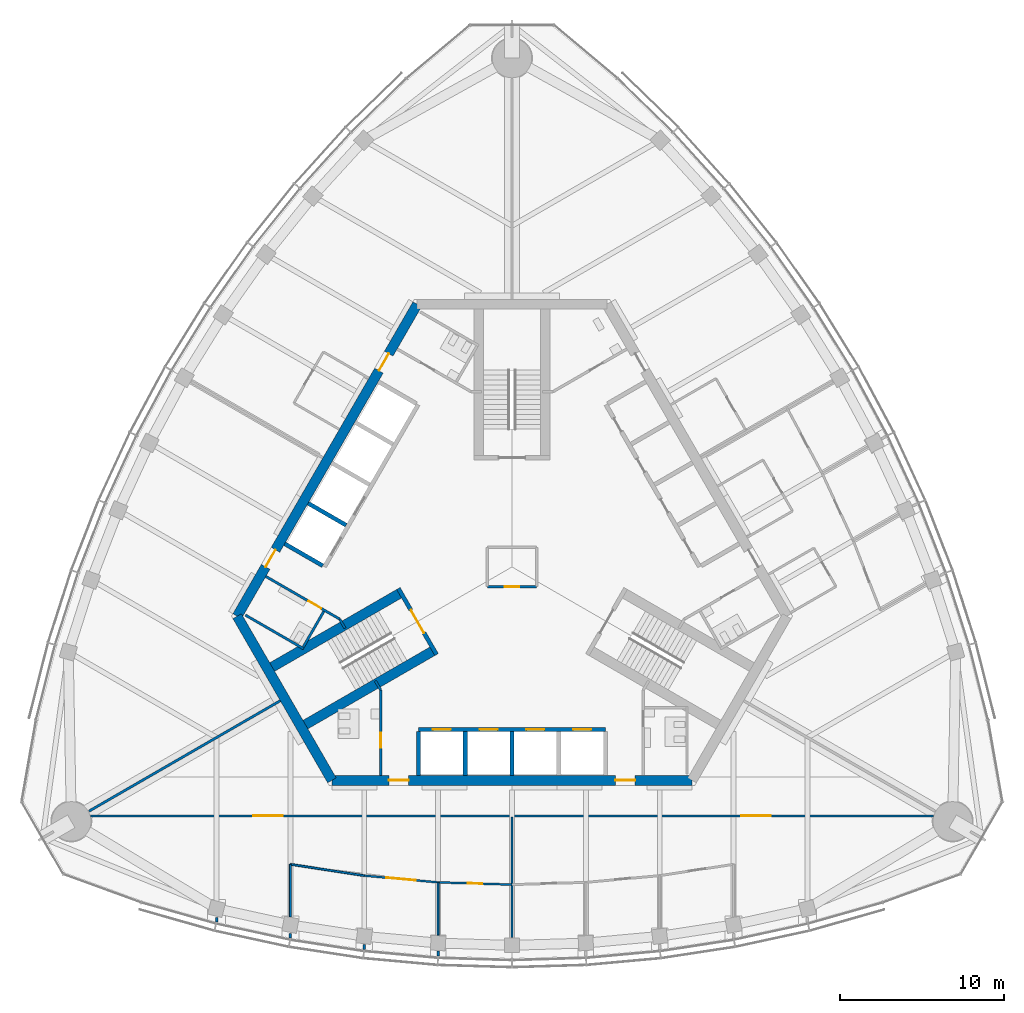
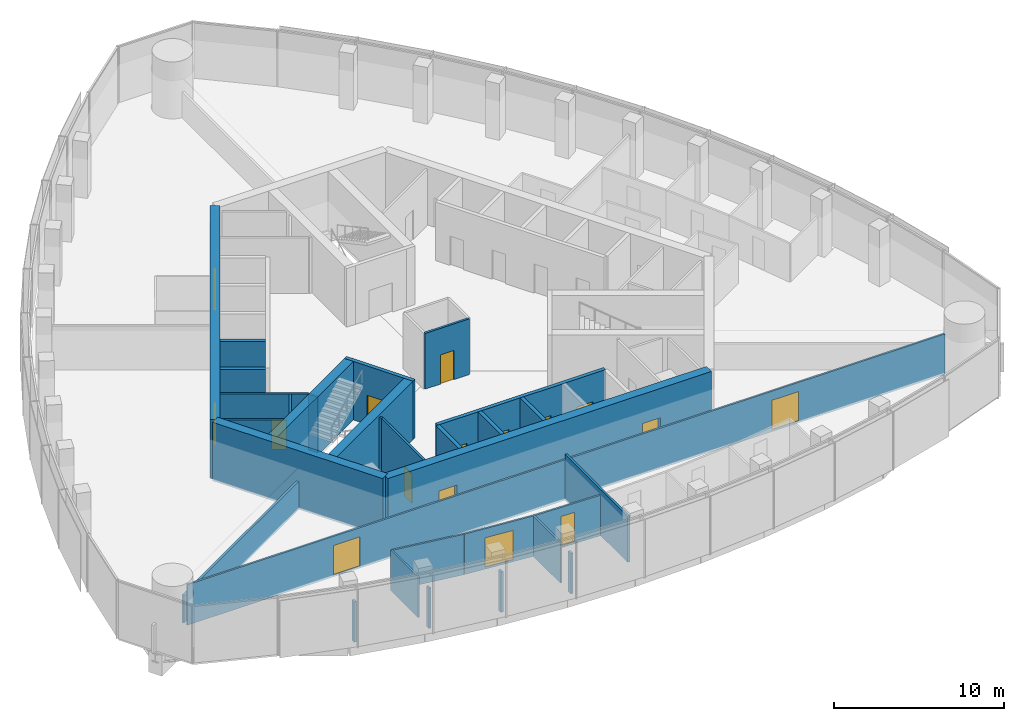
# One storey, part 8 of 16: 31 walls, 16 doors, 16 openings.
"""IFC4 building model written with IfcOpenShell, lengths in metres."""

from ifc_helpers import new_model, si_unit, direction, frame, frame_2d, origin, place, context, subcontext, project, spatial, rectangle, extrude, material, layer, layer_set, type_object, element, fill, save


model = new_model("IFC4")

# Units and contexts
model_context = context("Model", 3, precision=1e-05, world=origin(), true_north=direction((0.0, 1.0)))
body_context = subcontext(model_context, "Body", "Model", "MODEL_VIEW")
ifc_project = project(units=[si_unit("LENGTHUNIT", "METRE"), si_unit("AREAUNIT", "SQUARE_METRE"), si_unit("VOLUMEUNIT", "CUBIC_METRE"), si_unit("PLANEANGLEUNIT", "RADIAN"), si_unit("MASSUNIT", "GRAM", prefix="KILO")], contexts=[model_context])

# Site, building, storey
site_placement = place(None, origin())
site = spatial("IfcSite", under=ifc_project, at=site_placement, CompositionType="ELEMENT")
building_placement = place(site_placement, origin())
building = spatial("IfcBuilding", under=site, at=building_placement, Name="Trefoil Bronze Tower", CompositionType="ELEMENT")
storey_placement = place(building_placement, frame((0.0, 0.0, 318.300048828125)))
storey = spatial("IfcBuildingStorey", under=building, at=storey_placement, Name="L73", CompositionType="ELEMENT", Elevation=318.300048828125)

# Wall, openings, doors
ifc_material_1 = material(Name="Concrete B80", Category="concrete")
ifc_layer_1 = layer(ifc_material_1, 0.60009765625)
ifc_layer_set_1 = layer_set([ifc_layer_1], Name="Core wall 600")
wall_type_1 = type_object("IfcWallType", Name="Core wall 600", PredefinedType="SHEAR", material=ifc_layer_set_1)
wall_1_placement = place(storey_placement, frame((-10.9697265625, -13.0, 0.0), z_axis=(0.0, 0.0, 1.0), x_axis=(1.0, 0.0, 0.0)))
wall_1 = element("IfcWall", 1, at=wall_1_placement, inside=storey, type_object=wall_type_1, Name="Core long wall 1 L73", PredefinedType="SHEAR", context=body_context, shape_type="SweptSolid", body=[
    extrude(rectangle(XDim=21.939453125, YDim=0.60009765625, at=frame_2d((10.9697265625, 0.0))), origin(), (0.0, 0.0, 1.0), 4.199951171875),
])
opening_1_placement = place(wall_1_placement, frame((17.269775390625, 0.0, 0.0)))
opening_1 = element("IfcOpeningElement", 2, at=opening_1_placement, cuts=wall_1, Name="Opening D2", PredefinedType="OPENING", context=body_context, shape_type="SweptSolid", body=[
    extrude(rectangle(XDim=1.199951171875, YDim=2.10009765625, at=frame_2d((0.60009765625, 1.050048828125))), frame((0.0, 0.31005859375, 0.0), z_axis=(0.0, -1.0, 0.0), x_axis=(1.0, 0.0, 0.0)), (0.0, 0.0, 1.0), 0.6201171875),
])
opening_2_placement = place(wall_1_placement, frame((3.4697265625, 0.0, 0.0)))
opening_2 = element("IfcOpeningElement", 3, at=opening_2_placement, cuts=wall_1, Name="Opening D2", PredefinedType="OPENING", context=body_context, shape_type="SweptSolid", body=[
    extrude(rectangle(XDim=1.199951171875, YDim=2.10009765625, at=frame_2d((0.60009765625, 1.050048828125))), frame((0.0, 0.31005859375, 0.0), z_axis=(0.0, -1.0, 0.0), x_axis=(1.0, 0.0, 0.0)), (0.0, 0.0, 1.0), 0.6201171875),
])
ifc_material_2 = material(Name="Steel door", Category="steel")
door_type_1 = type_object("IfcDoorType", Name="Lobby door 1200", OperationType="SINGLE_SWING_RIGHT", PredefinedType="DOOR", material=ifc_material_2)
door_1_placement = place(opening_1_placement, origin())
door_1 = element("IfcDoor", 4, at=door_1_placement, inside=storey, type_object=door_type_1, Name="Lobby door F1+ L73", OperationType="SINGLE_SWING_RIGHT", OverallHeight=2.10009765625, OverallWidth=1.199951171875, PredefinedType="DOOR", context=body_context, shape_type="SweptSolid", body=[
    extrude(rectangle(XDim=1.199951171875, YDim=2.10009765625, at=frame_2d((0.60009765625, 1.050048828125))), frame((0.0, 0.02490234375, 0.0), z_axis=(0.0, -1.0, 0.0), x_axis=(1.0, 0.0, 0.0)), (0.0, 0.0, 1.0), 0.050048828125),
])
fill(opening_1, door_1)
door_2_placement = place(opening_2_placement, origin())
door_2 = element("IfcDoor", 5, at=door_2_placement, inside=storey, type_object=door_type_1, Name="Lobby door F1- L73", OperationType="SINGLE_SWING_LEFT", OverallHeight=2.10009765625, OverallWidth=1.199951171875, PredefinedType="DOOR", context=body_context, shape_type="SweptSolid", body=[
    extrude(rectangle(XDim=1.199951171875, YDim=2.10009765625, at=frame_2d((0.60009765625, 1.050048828125))), frame((0.0, 0.02490234375, 0.0), z_axis=(0.0, -1.0, 0.0), x_axis=(1.0, 0.0, 0.0)), (0.0, 0.0, 1.0), 0.050048828125),
])
fill(opening_2, door_2)

wall_2_placement = place(storey_placement, frame((-5.7734375, 16.0, 0.0), z_axis=(0.0, 0.0, 1.0), x_axis=(-0.500002442456, -0.866023993627, 0.0)))
wall_2 = element("IfcWall", 6, at=wall_2_placement, inside=storey, type_object=wall_type_1, Name="Core long wall 3 L73", PredefinedType="SHEAR", context=body_context, shape_type="SweptSolid", body=[
    extrude(rectangle(XDim=21.939453125, YDim=0.60009765625, at=frame_2d((10.9697265625, 0.0))), origin(), (0.0, 0.0, 1.0), 4.199951171875),
])
opening_3_placement = place(wall_2_placement, frame((17.269775390625, 0.0, 0.0)))
opening_3 = element("IfcOpeningElement", 7, at=opening_3_placement, cuts=wall_2, Name="Opening D2", PredefinedType="OPENING", context=body_context, shape_type="SweptSolid", body=[
    extrude(rectangle(XDim=1.199951171875, YDim=2.10009765625, at=frame_2d((0.60009765625, 1.050048828125))), frame((0.0, 0.31005859375, 0.0), z_axis=(0.0, -1.0, 0.0), x_axis=(1.0, 0.0, 0.0)), (0.0, 0.0, 1.0), 0.6201171875),
])
opening_4_placement = place(wall_2_placement, frame((3.4697265625, 0.0, 0.0)))
opening_4 = element("IfcOpeningElement", 8, at=opening_4_placement, cuts=wall_2, Name="Opening D2", PredefinedType="OPENING", context=body_context, shape_type="SweptSolid", body=[
    extrude(rectangle(XDim=1.199951171875, YDim=2.10009765625, at=frame_2d((0.60009765625, 1.050048828125))), frame((0.0, 0.31005859375, 0.0), z_axis=(0.0, -1.0, 0.0), x_axis=(1.0, 0.0, 0.0)), (0.0, 0.0, 1.0), 0.6201171875),
])
door_3_placement = place(opening_3_placement, origin())
door_3 = element("IfcDoor", 9, at=door_3_placement, inside=storey, type_object=door_type_1, Name="Lobby door F3+ L73", OperationType="SINGLE_SWING_RIGHT", OverallHeight=2.10009765625, OverallWidth=1.199951171875, PredefinedType="DOOR", context=body_context, shape_type="SweptSolid", body=[
    extrude(rectangle(XDim=1.199951171875, YDim=2.10009765625, at=frame_2d((0.60009765625, 1.050048828125))), frame((0.0, 0.02490234375, 0.0), z_axis=(0.0, -1.0, 0.0), x_axis=(1.0, 0.0, 0.0)), (0.0, 0.0, 1.0), 0.050048828125),
])
fill(opening_3, door_3)
door_4_placement = place(opening_4_placement, origin())
door_4 = element("IfcDoor", 10, at=door_4_placement, inside=storey, type_object=door_type_1, Name="Lobby door F3- L73", OperationType="SINGLE_SWING_LEFT", OverallHeight=2.10009765625, OverallWidth=1.199951171875, PredefinedType="DOOR", context=body_context, shape_type="SweptSolid", body=[
    extrude(rectangle(XDim=1.199951171875, YDim=2.10009765625, at=frame_2d((0.60009765625, 1.050048828125))), frame((0.0, 0.02490234375, 0.0), z_axis=(0.0, -1.0, 0.0), x_axis=(1.0, 0.0, 0.0)), (0.0, 0.0, 1.0), 0.050048828125),
])
fill(opening_4, door_4)

# Wall
wall_3_placement = place(storey_placement, frame((-16.7431640625, -3.0, 0.0), z_axis=(0.0, 0.0, 1.0), x_axis=(0.499995765644, -0.866027848477, 0.0)))
element("IfcWall", 11, at=wall_3_placement, inside=storey, type_object=wall_type_1, Name="Core short wall 3 L73", PredefinedType="SHEAR", context=body_context, shape_type="SweptSolid", body=[
    extrude(rectangle(XDim=11.546875, YDim=0.60009765625, at=frame_2d((5.7734375, 0.0))), origin(), (0.0, 0.0, 1.0), 4.199951171875),
])

# Wall, openings, doors
ifc_material_3 = material(Name="Glazed partition", Category="glass")
ifc_layer_2 = layer(ifc_material_3, 0.1201171875)
ifc_layer_set_2 = layer_set([ifc_layer_2], Name="Glazed partition 120")
wall_type_2 = type_object("IfcWallType", Name="Glazed partition 120", PredefinedType="PARTITIONING", material=ifc_layer_set_2)
wall_4_placement = place(storey_placement, frame((-25.677734375, -15.159912109375, 0.0), z_axis=(0.0, 0.0, 1.0), x_axis=(1.0, 0.0, 0.0)))
wall_4 = element("IfcWall", 12, at=wall_4_placement, inside=storey, type_object=wall_type_2, Name="Partition F1 L73", PredefinedType="PARTITIONING", context=body_context, shape_type="SweptSolid", body=[
    extrude(rectangle(XDim=51.35546875, YDim=0.1201171875, at=frame_2d((25.677734375, 0.0))), origin(), (0.0, 0.0, 1.0), 2.89990234375),
])
opening_5_placement = place(wall_4_placement, frame((9.89990234375, 0.0, 0.14990234375)))
opening_5 = element("IfcOpeningElement", 13, at=opening_5_placement, cuts=wall_4, Name="Opening D10", PredefinedType="OPENING", context=body_context, shape_type="SweptSolid", body=[
    extrude(rectangle(XDim=1.800048828125, YDim=2.10009765625, at=frame_2d((0.89990234375, 1.050048828125))), frame((0.0, 0.070068359375, 0.0), z_axis=(0.0, -1.0, 0.0), x_axis=(1.0, 0.0, 0.0)), (0.0, 0.0, 1.0), 0.14013671875),
])
opening_6_placement = place(wall_4_placement, frame((39.64990234375, 0.0, 0.14990234375)))
opening_6 = element("IfcOpeningElement", 14, at=opening_6_placement, cuts=wall_4, Name="Opening D10", PredefinedType="OPENING", context=body_context, shape_type="SweptSolid", body=[
    extrude(rectangle(XDim=1.800048828125, YDim=2.10009765625, at=frame_2d((0.89990234375, 1.050048828125))), frame((0.0, 0.070068359375, 0.0), z_axis=(0.0, -1.0, 0.0), x_axis=(1.0, 0.0, 0.0)), (0.0, 0.0, 1.0), 0.14013671875),
])
ifc_material_4 = material(Name="Timber door", Category="wood")
door_type_2 = type_object("IfcDoorType", Name="Double door 1800", OperationType="DOUBLE_DOOR_SINGLE_SWING", PredefinedType="DOOR", material=ifc_material_4)
door_5_placement = place(opening_5_placement, origin())
door_5 = element("IfcDoor", 15, at=door_5_placement, inside=storey, type_object=door_type_2, Name="Corridor door F1 L73", OperationType="DOUBLE_DOOR_SINGLE_SWING", OverallHeight=2.10009765625, OverallWidth=1.800048828125, PredefinedType="DOOR", context=body_context, shape_type="SweptSolid", body=[
    extrude(rectangle(XDim=1.800048828125, YDim=2.10009765625, at=frame_2d((0.89990234375, 1.050048828125))), frame((0.0, 0.02490234375, 0.0), z_axis=(0.0, -1.0, 0.0), x_axis=(1.0, 0.0, 0.0)), (0.0, 0.0, 1.0), 0.050048828125),
])
fill(opening_5, door_5)
door_6_placement = place(opening_6_placement, origin())
door_6 = element("IfcDoor", 16, at=door_6_placement, inside=storey, type_object=door_type_2, Name="Corridor door F1 L73", OperationType="DOUBLE_DOOR_SINGLE_SWING", OverallHeight=2.10009765625, OverallWidth=1.800048828125, PredefinedType="DOOR", context=body_context, shape_type="SweptSolid", body=[
    extrude(rectangle(XDim=1.800048828125, YDim=2.10009765625, at=frame_2d((0.89990234375, 1.050048828125))), frame((0.0, 0.02490234375, 0.0), z_axis=(0.0, -1.0, 0.0), x_axis=(1.0, 0.0, 0.0)), (0.0, 0.0, 1.0), 0.050048828125),
])
fill(opening_6, door_6)

# Wall
wall_5_placement = place(storey_placement, frame((-13.5, -18.1162109375, 0.0), z_axis=(0.0, 0.0, 1.0), x_axis=(0.988481794406, -0.151339823341, 0.0)))
element("IfcWall", 17, at=wall_5_placement, inside=storey, type_object=wall_type_2, Name="Partition F1 L73", PredefinedType="PARTITIONING", context=body_context, shape_type="SweptSolid", body=[
    extrude(rectangle(XDim=4.552490234375, YDim=0.1201171875, at=frame_2d((2.2763671875, 0.0))), origin(), (0.0, 0.0, 1.0), 2.89990234375),
])

# Wall, opening, door
wall_6_placement = place(storey_placement, frame((-4.5, -19.21533203125, 0.0), z_axis=(0.0, 0.0, 1.0), x_axis=(0.999542074227, -0.030259574513, 0.0)))
wall_6 = element("IfcWall", 18, at=wall_6_placement, inside=storey, type_object=wall_type_2, Name="Partition F1 L73", PredefinedType="PARTITIONING", context=body_context, shape_type="SweptSolid", body=[
    extrude(rectangle(XDim=4.501953125, YDim=0.1201171875, at=frame_2d((2.2509765625, 0.0))), origin(), (0.0, 0.0, 1.0), 2.89990234375),
])
opening_7_placement = place(wall_6_placement, frame((1.800048828125, 0.0, 0.14990234375)))
opening_7 = element("IfcOpeningElement", 19, at=opening_7_placement, cuts=wall_6, Name="Opening D8", PredefinedType="OPENING", context=body_context, shape_type="SweptSolid", body=[
    extrude(rectangle(XDim=0.89990234375, YDim=2.10009765625, at=frame_2d((0.449951171875, 1.050048828125))), frame((0.0, 0.070068359375, 0.0), z_axis=(0.0, -1.0, 0.0), x_axis=(1.0, 0.0, 0.0)), (0.0, 0.0, 1.0), 0.14013671875),
])
ifc_material_5 = material(Name="Timber door", Category="wood")
door_type_3 = type_object("IfcDoorType", Name="Office door 900", OperationType="SINGLE_SWING_LEFT", PredefinedType="DOOR", material=ifc_material_5)
door_7_placement = place(opening_7_placement, frame((0.89990234375, 0.0, 0.0), z_axis=(0.0, 0.0, 1.0), x_axis=(-1.0, 0.0, 0.0)))
door_7 = element("IfcDoor", 20, at=door_7_placement, inside=storey, type_object=door_type_3, Name="Members' office door F1 L73", OperationType="SINGLE_SWING_RIGHT", OverallHeight=2.10009765625, OverallWidth=0.89990234375, PredefinedType="DOOR", context=body_context, shape_type="SweptSolid", body=[
    extrude(rectangle(XDim=0.89990234375, YDim=2.10009765625, at=frame_2d((0.449951171875, 1.050048828125))), frame((0.0, 0.02490234375, 0.0), z_axis=(0.0, -1.0, 0.0), x_axis=(1.0, 0.0, 0.0)), (0.0, 0.0, 1.0), 0.050048828125),
])
fill(opening_7, door_7)

wall_7_placement = place(storey_placement, frame((-9.0, -18.80517578125, 0.0), z_axis=(0.0, 0.0, 1.0), x_axis=(0.995871921504, -0.090769576179, 0.0)))
wall_7 = element("IfcWall", 21, at=wall_7_placement, inside=storey, type_object=wall_type_2, Name="Partition F1 L73", PredefinedType="PARTITIONING", context=body_context, shape_type="SweptSolid", body=[
    extrude(rectangle(XDim=4.5185546875, YDim=0.1201171875, at=frame_2d((2.25927734375, 0.0))), origin(), (0.0, 0.0, 1.0), 2.89990234375),
])
opening_8_placement = place(wall_7_placement, frame((1.35009765625, 0.0, 0.14990234375)))
opening_8 = element("IfcOpeningElement", 22, at=opening_8_placement, cuts=wall_7, Name="Opening D10", PredefinedType="OPENING", context=body_context, shape_type="SweptSolid", body=[
    extrude(rectangle(XDim=1.800048828125, YDim=2.10009765625, at=frame_2d((0.89990234375, 1.050048828125))), frame((0.0, 0.070068359375, 0.0), z_axis=(0.0, -1.0, 0.0), x_axis=(1.0, 0.0, 0.0)), (0.0, 0.0, 1.0), 0.14013671875),
])
door_8_placement = place(opening_8_placement, frame((1.800048828125, 0.0, 0.0), z_axis=(0.0, 0.0, 1.0), x_axis=(-1.0, 0.0, 0.0)))
door_8 = element("IfcDoor", 23, at=door_8_placement, inside=storey, type_object=door_type_2, Name="Library lounge door F1 L73", OperationType="DOUBLE_DOOR_SINGLE_SWING", OverallHeight=2.10009765625, OverallWidth=1.800048828125, PredefinedType="DOOR", context=body_context, shape_type="SweptSolid", body=[
    extrude(rectangle(XDim=1.800048828125, YDim=2.10009765625, at=frame_2d((0.89990234375, 1.050048828125))), frame((0.0, 0.02490234375, 0.0), z_axis=(0.0, -1.0, 0.0), x_axis=(1.0, 0.0, 0.0)), (0.0, 0.0, 1.0), 0.050048828125),
])
fill(opening_8, door_8)

# Walls
wall_8_placement = place(storey_placement, frame((-13.5, -18.1162109375, 0.0), z_axis=(0.0, 0.0, 1.0), x_axis=(0.0, -1.0, 0.0)))
element("IfcWall", 24, at=wall_8_placement, inside=storey, type_object=wall_type_2, Name="Partition F1 L73", PredefinedType="PARTITIONING", context=body_context, shape_type="SweptSolid", body=[
    extrude(rectangle(XDim=3.198486328125, YDim=0.1201171875, at=frame_2d((1.59912109375, 0.0))), origin(), (0.0, 0.0, 1.0), 2.89990234375),
])
wall_9_placement = place(storey_placement, frame((-4.5, -19.21533203125, 0.0), z_axis=(0.0, 0.0, 1.0), x_axis=(0.0, -1.0, 0.0)))
element("IfcWall", 25, at=wall_9_placement, inside=storey, type_object=wall_type_2, Name="Partition F1 L73", PredefinedType="PARTITIONING", context=body_context, shape_type="SweptSolid", body=[
    extrude(rectangle(XDim=3.2177734375, YDim=0.1201171875, at=frame_2d((1.60888671875, 0.0))), origin(), (0.0, 0.0, 1.0), 2.89990234375),
])

# Wall, opening, door
ifc_material_6 = material(Name="Gypsum board on steel studs", Category="steel")
ifc_layer_3 = layer(ifc_material_6, 0.14990234375)
ifc_layer_set_3 = layer_set([ifc_layer_3], Name="Partition 150")
wall_type_3 = type_object("IfcWallType", Name="Partition 150", PredefinedType="PARTITIONING", material=ifc_layer_set_3)
wall_10_placement = place(storey_placement, frame((-8.0, -7.5, 0.0), z_axis=(0.0, 0.0, 1.0), x_axis=(0.0, -1.0, 0.0)))
wall_10 = element("IfcWall", 26, at=wall_10_placement, inside=storey, type_object=wall_type_3, Name="Passage wall F1- L73", PredefinedType="PARTITIONING", context=body_context, shape_type="SweptSolid", body=[
    extrude(rectangle(XDim=5.199951171875, YDim=0.14990234375, at=frame_2d((2.60009765625, 0.0))), origin(), (0.0, 0.0, 1.0), 4.0),
])
opening_9_placement = place(wall_10_placement, frame((2.60009765625, 0.0, 0.0)))
opening_9 = element("IfcOpeningElement", 27, at=opening_9_placement, cuts=wall_10, Name="Opening D3", PredefinedType="OPENING", context=body_context, shape_type="SweptSolid", body=[
    extrude(rectangle(XDim=0.89990234375, YDim=2.10009765625, at=frame_2d((0.449951171875, 1.050048828125))), frame((0.0, 0.0849609375, 0.0), z_axis=(0.0, -1.0, 0.0), x_axis=(1.0, 0.0, 0.0)), (0.0, 0.0, 1.0), 0.169921875),
])
ifc_material_7 = material(Name="Timber door", Category="wood")
door_type_4 = type_object("IfcDoorType", Name="WC door 900", OperationType="SINGLE_SWING_LEFT", PredefinedType="DOOR", material=ifc_material_7)
door_9_placement = place(opening_9_placement, frame((0.89990234375, 0.0, 0.0), z_axis=(0.0, 0.0, 1.0), x_axis=(-1.0, 0.0, 0.0)))
door_9 = element("IfcDoor", 28, at=door_9_placement, inside=storey, type_object=door_type_4, Name="WC (women) door L73", OperationType="SINGLE_SWING_LEFT", OverallHeight=2.10009765625, OverallWidth=0.89990234375, PredefinedType="DOOR", context=body_context, shape_type="SweptSolid", body=[
    extrude(rectangle(XDim=0.89990234375, YDim=2.10009765625, at=frame_2d((0.449951171875, 1.050048828125))), frame((0.0, 0.02490234375, 0.0), z_axis=(0.0, -1.0, 0.0), x_axis=(1.0, 0.0, 0.0)), (0.0, 0.0, 1.0), 0.050048828125),
])
fill(opening_9, door_9)

wall_11_placement = place(storey_placement, frame((-10.4951171875, -3.17822265625, 0.0), z_axis=(0.0, 0.0, 1.0), x_axis=(-0.866021400173, 0.500006934395, 0.0)))
wall_11 = element("IfcWall", 29, at=wall_11_placement, inside=storey, type_object=wall_type_3, Name="Passage wall F3+ L73", PredefinedType="PARTITIONING", context=body_context, shape_type="SweptSolid", body=[
    extrude(rectangle(XDim=5.2001953125, YDim=0.14990234375, at=frame_2d((2.60009765625, 0.0))), origin(), (0.0, 0.0, 1.0), 4.0),
])
opening_10_placement = place(wall_11_placement, frame((1.300048828125, 0.0, 0.0)))
opening_10 = element("IfcOpeningElement", 30, at=opening_10_placement, cuts=wall_11, Name="Opening D3", PredefinedType="OPENING", context=body_context, shape_type="SweptSolid", body=[
    extrude(rectangle(XDim=0.89990234375, YDim=2.10009765625, at=frame_2d((0.449951171875, 1.050048828125))), frame((0.0, 0.0849609375, 0.0), z_axis=(0.0, -1.0, 0.0), x_axis=(1.0, 0.0, 0.0)), (0.0, 0.0, 1.0), 0.169921875),
])
door_10_placement = place(opening_10_placement, origin())
door_10 = element("IfcDoor", 31, at=door_10_placement, inside=storey, type_object=door_type_4, Name="WC (men) door L73", OperationType="SINGLE_SWING_LEFT", OverallHeight=2.10009765625, OverallWidth=0.89990234375, PredefinedType="DOOR", context=body_context, shape_type="SweptSolid", body=[
    extrude(rectangle(XDim=0.89990234375, YDim=2.10009765625, at=frame_2d((0.449951171875, 1.050048828125))), frame((0.0, 0.02490234375, 0.0), z_axis=(0.0, -1.0, 0.0), x_axis=(1.0, 0.0, 0.0)), (0.0, 0.0, 1.0), 0.050048828125),
])
fill(opening_10, door_10)

# Walls
for number, where, z_axis, x_axis, name in (
    (32, (-10.4951171875, -3.17822265625, 0.0), (0.0, 0.0, 1.0), (0.499842556608, -0.866116284689, 0.0), "WC wall ST3-1 L73"),
    (33, (-8.0, -7.5, 0.0), (0.0, 0.0, 1.0), (-0.499842556608, 0.866116284689, 0.0), "WC wall ST3+1 L73"),
):
    element("IfcWall", number, at=place(storey_placement, frame(where, z_axis=z_axis, x_axis=x_axis)), inside=storey, type_object=wall_type_3, Name=name, PredefinedType="PARTITIONING", context=body_context, shape_type="SweptSolid", body=[
        extrude(rectangle(XDim=0.645263671875, YDim=0.14990234375, at=frame_2d((0.32275390625, 0.0))), origin(), (0.0, 0.0, 1.0), 4.0),
    ])
wall_12_placement = place(storey_placement, frame((-12.691162109375, -4.98193359375, 0.0), z_axis=(0.0, 0.0, 1.0), x_axis=(-0.8660249478, 0.500000789788, 0.0)))
element("IfcWall", 34, at=wall_12_placement, inside=storey, type_object=wall_type_3, Name="WC partition WC (men) L73", PredefinedType="PARTITIONING", context=body_context, shape_type="SweptSolid", body=[
    extrude(rectangle(XDim=4.10009765625, YDim=0.14990234375, at=frame_2d((2.050048828125, 0.0))), origin(), (0.0, 0.0, 1.0), 4.0),
])
wall_13_placement = place(storey_placement, frame((-11.463623046875, -2.70556640625, 0.0), z_axis=(0.0, 0.0, 1.0), x_axis=(-0.50001992892, -0.866013897511, 0.0)))
element("IfcWall", 35, at=wall_13_placement, inside=storey, type_object=wall_type_3, Name="WC partition WC (men) L73", PredefinedType="PARTITIONING", context=body_context, shape_type="SweptSolid", body=[
    extrude(rectangle(XDim=2.51025390625, YDim=0.14990234375, at=frame_2d((1.255126953125, 0.0))), origin(), (0.0, 0.0, 1.0), 4.0),
])
wall_14_placement = place(storey_placement, frame((-13.5, -22.3310546875, 0.0), z_axis=(0.0, 0.0, 1.0), x_axis=(0.0, -1.0, 0.0)))
element("IfcWall", 36, at=wall_14_placement, inside=storey, type_object=wall_type_3, Name="Partition F1 L73", PredefinedType="PARTITIONING", context=body_context, shape_type="SweptSolid", body=[
    extrude(rectangle(XDim=0.2802734375, YDim=0.14990234375, at=frame_2d((0.14013671875, 0.0))), origin(), (0.0, 0.0, 1.0), 2.89990234375),
])
wall_15_placement = place(storey_placement, frame((-18.0, -21.365966796875, 0.0), z_axis=(0.0, 0.0, 1.0), x_axis=(0.0, -1.0, 0.0)))
element("IfcWall", 37, at=wall_15_placement, inside=storey, type_object=wall_type_3, Name="Partition F1 L73", PredefinedType="PARTITIONING", context=body_context, shape_type="SweptSolid", body=[
    extrude(rectangle(XDim=0.269775390625, YDim=0.14990234375, at=frame_2d((0.134765625, 0.0))), origin(), (0.0, 0.0, 1.0), 2.89990234375),
])
wall_16_placement = place(storey_placement, frame((-4.5, -23.394287109375, 0.0), z_axis=(0.0, 0.0, 1.0), x_axis=(0.0, -1.0, 0.0)))
element("IfcWall", 38, at=wall_16_placement, inside=storey, type_object=wall_type_3, Name="Partition F1 L73", PredefinedType="PARTITIONING", context=body_context, shape_type="SweptSolid", body=[
    extrude(rectangle(XDim=0.316162109375, YDim=0.14990234375, at=frame_2d((0.158203125, 0.0))), origin(), (0.0, 0.0, 1.0), 2.89990234375),
])
wall_17_placement = place(storey_placement, frame((-9.0, -23.00439453125, 0.0), z_axis=(0.0, 0.0, 1.0), x_axis=(0.0, -1.0, 0.0)))
element("IfcWall", 39, at=wall_17_placement, inside=storey, type_object=wall_type_3, Name="Partition F1 L73", PredefinedType="PARTITIONING", context=body_context, shape_type="SweptSolid", body=[
    extrude(rectangle(XDim=0.295654296875, YDim=0.14990234375, at=frame_2d((0.14794921875, 0.0))), origin(), (0.0, 0.0, 1.0), 2.89990234375),
])
ifc_material_8 = material(Name="Gypsum board on steel studs", Category="steel")
ifc_layer_4 = layer(ifc_material_8, 0.14990234375)
ifc_layer_set_4 = layer_set([ifc_layer_4], Name="Party wall 150")
wall_type_4 = type_object("IfcWallType", Name="Party wall 150", PredefinedType="PARTITIONING", material=ifc_layer_set_4)
wall_18_placement = place(storey_placement, frame((-14.1162109375, -8.14990234375, 0.0), z_axis=(0.0, 0.0, 1.0), x_axis=(-0.866020541135, -0.500008422262, 0.0)))
element("IfcWall", 40, at=wall_18_placement, inside=storey, type_object=wall_type_4, Name="Party wall K3 L73", PredefinedType="PARTITIONING", context=body_context, shape_type="SweptSolid", body=[
    extrude(rectangle(XDim=13.449951171875, YDim=0.14990234375, at=frame_2d((6.72509765625, 0.0))), origin(), (0.0, 0.0, 1.0), 2.0),
])
wall_19_placement = place(storey_placement, frame((0.0, -15.219970703125, 0.0), z_axis=(0.0, 0.0, 1.0), x_axis=(0.0, -1.0, 0.0)))
element("IfcWall", 41, at=wall_19_placement, inside=storey, type_object=wall_type_4, Name="Demising wall F1 L73", PredefinedType="PARTITIONING", context=body_context, shape_type="SweptSolid", body=[
    extrude(rectangle(XDim=7.3515625, YDim=0.14990234375, at=frame_2d((3.67578125, 0.0))), origin(), (0.0, 0.0, 1.0), 3.300048828125),
])

# Wall, opening, door
ifc_material_9 = material(Name="Gypsum board on steel studs", Category="steel")
ifc_layer_5 = layer(ifc_material_9, 0.14990234375)
ifc_layer_set_5 = layer_set([ifc_layer_5], Name="Riser wall 150")
wall_type_5 = type_object("IfcWallType", Name="Riser wall 150", PredefinedType="PARTITIONING", material=ifc_layer_set_5)
wall_20_placement = place(storey_placement, frame((-1.5, -1.199951171875, 0.0), z_axis=(0.0, 0.0, 1.0), x_axis=(1.0, 0.0, 0.0)))
wall_20 = element("IfcWall", 42, at=wall_20_placement, inside=storey, type_object=wall_type_5, Name="Riser wall L73", PredefinedType="PARTITIONING", context=body_context, shape_type="SweptSolid", body=[
    extrude(rectangle(XDim=3.0, YDim=0.14990234375, at=frame_2d((1.5, 0.0))), origin(), (0.0, 0.0, 1.0), 4.0),
])
opening_11_placement = place(wall_20_placement, frame((1.050048828125, 0.0, 0.0)))
opening_11 = element("IfcOpeningElement", 43, at=opening_11_placement, cuts=wall_20, Name="Opening D4", PredefinedType="OPENING", context=body_context, shape_type="SweptSolid", body=[
    extrude(rectangle(XDim=0.89990234375, YDim=2.10009765625, at=frame_2d((0.449951171875, 1.050048828125))), frame((0.0, 0.0849609375, 0.0), z_axis=(0.0, -1.0, 0.0), x_axis=(1.0, 0.0, 0.0)), (0.0, 0.0, 1.0), 0.169921875),
])
ifc_material_10 = material(Name="Steel door", Category="steel")
door_type_5 = type_object("IfcDoorType", Name="Riser door 900", OperationType="SINGLE_SWING_LEFT", PredefinedType="DOOR", material=ifc_material_10)
door_11_placement = place(opening_11_placement, frame((0.89990234375, 0.0, 0.0), z_axis=(0.0, 0.0, 1.0), x_axis=(-1.0, 0.0, 0.0)))
door_11 = element("IfcDoor", 44, at=door_11_placement, inside=storey, type_object=door_type_5, Name="Riser door L73", OperationType="SINGLE_SWING_LEFT", OverallHeight=2.10009765625, OverallWidth=0.89990234375, PredefinedType="DOOR", context=body_context, shape_type="SweptSolid", body=[
    extrude(rectangle(XDim=0.89990234375, YDim=2.10009765625, at=frame_2d((0.449951171875, 1.050048828125))), frame((0.0, 0.02490234375, 0.0), z_axis=(0.0, -1.0, 0.0), x_axis=(1.0, 0.0, 0.0)), (0.0, 0.0, 1.0), 0.050048828125),
])
fill(opening_11, door_11)

# Wall, openings, doors
ifc_material_11 = material(Name="Concrete B80", Category="concrete")
ifc_layer_6 = layer(ifc_material_11, 0.25)
ifc_layer_set_6 = layer_set([ifc_layer_6], Name="Shaft wall 250")
wall_type_6 = type_object("IfcWallType", Name="Shaft wall 250", PredefinedType="SHEAR", material=ifc_layer_set_6)
wall_21_placement = place(storey_placement, frame((-5.699951171875, -9.89990234375, 0.0), z_axis=(0.0, 0.0, 1.0), x_axis=(1.0, 0.0, 0.0)))
wall_21 = element("IfcWall", 45, at=wall_21_placement, inside=storey, type_object=wall_type_6, Name="Lift shaft front wall A L73", PredefinedType="SHEAR", context=body_context, shape_type="SweptSolid", body=[
    extrude(rectangle(XDim=11.39990234375, YDim=0.25, at=frame_2d((5.699951171875, 0.0))), origin(), (0.0, 0.0, 1.0), 4.199951171875),
])
opening_12_placement = place(wall_21_placement, frame((0.875, 0.0, 0.0)))
opening_12 = element("IfcOpeningElement", 46, at=opening_12_placement, cuts=wall_21, Name="Opening LD-P41", PredefinedType="OPENING", context=body_context, shape_type="SweptSolid", body=[
    extrude(rectangle(XDim=1.10009765625, YDim=2.199951171875, at=frame_2d((0.550048828125, 1.10009765625))), frame((0.0, 0.135009765625, 0.0), z_axis=(0.0, -1.0, 0.0), x_axis=(1.0, 0.0, 0.0)), (0.0, 0.0, 1.0), 0.27001953125),
])
opening_13_placement = place(wall_21_placement, frame((3.72509765625, 0.0, 0.0)))
opening_13 = element("IfcOpeningElement", 47, at=opening_13_placement, cuts=wall_21, Name="Opening LD-P42", PredefinedType="OPENING", context=body_context, shape_type="SweptSolid", body=[
    extrude(rectangle(XDim=1.10009765625, YDim=2.199951171875, at=frame_2d((0.550048828125, 1.10009765625))), frame((0.0, 0.135009765625, 0.0), z_axis=(0.0, -1.0, 0.0), x_axis=(1.0, 0.0, 0.0)), (0.0, 0.0, 1.0), 0.27001953125),
])
opening_14_placement = place(wall_21_placement, frame((6.574951171875, 0.0, 0.0)))
opening_14 = element("IfcOpeningElement", 48, at=opening_14_placement, cuts=wall_21, Name="Opening LD-P43", PredefinedType="OPENING", context=body_context, shape_type="SweptSolid", body=[
    extrude(rectangle(XDim=1.10009765625, YDim=2.199951171875, at=frame_2d((0.550048828125, 1.10009765625))), frame((0.0, 0.135009765625, 0.0), z_axis=(0.0, -1.0, 0.0), x_axis=(1.0, 0.0, 0.0)), (0.0, 0.0, 1.0), 0.27001953125),
])
opening_15_placement = place(wall_21_placement, frame((9.425048828125, 0.0, 0.0)))
opening_15 = element("IfcOpeningElement", 49, at=opening_15_placement, cuts=wall_21, Name="Opening LD-P44", PredefinedType="OPENING", context=body_context, shape_type="SweptSolid", body=[
    extrude(rectangle(XDim=1.10009765625, YDim=2.199951171875, at=frame_2d((0.550048828125, 1.10009765625))), frame((0.0, 0.135009765625, 0.0), z_axis=(0.0, -1.0, 0.0), x_axis=(1.0, 0.0, 0.0)), (0.0, 0.0, 1.0), 0.27001953125),
])
ifc_material_12 = material(Name="Steel door", Category="steel")
door_type_6 = type_object("IfcDoorType", Name="Lift landing door 1100", OperationType="DOUBLE_DOOR_SLIDING", PredefinedType="DOOR", material=ifc_material_12)
door_12_placement = place(opening_12_placement, origin())
door_12 = element("IfcDoor", 50, at=door_12_placement, inside=storey, type_object=door_type_6, Name="Lift P41 landing door L73", OperationType="DOUBLE_DOOR_SLIDING", OverallHeight=2.199951171875, OverallWidth=1.10009765625, PredefinedType="DOOR", context=body_context, shape_type="SweptSolid", body=[
    extrude(rectangle(XDim=1.10009765625, YDim=2.199951171875, at=frame_2d((0.550048828125, 1.10009765625))), frame((0.0, 0.02490234375, 0.0), z_axis=(0.0, -1.0, 0.0), x_axis=(1.0, 0.0, 0.0)), (0.0, 0.0, 1.0), 0.050048828125),
])
fill(opening_12, door_12)
door_13_placement = place(opening_13_placement, origin())
door_13 = element("IfcDoor", 51, at=door_13_placement, inside=storey, type_object=door_type_6, Name="Lift P42 landing door L73", OperationType="DOUBLE_DOOR_SLIDING", OverallHeight=2.199951171875, OverallWidth=1.10009765625, PredefinedType="DOOR", context=body_context, shape_type="SweptSolid", body=[
    extrude(rectangle(XDim=1.10009765625, YDim=2.199951171875, at=frame_2d((0.550048828125, 1.10009765625))), frame((0.0, 0.02490234375, 0.0), z_axis=(0.0, -1.0, 0.0), x_axis=(1.0, 0.0, 0.0)), (0.0, 0.0, 1.0), 0.050048828125),
])
fill(opening_13, door_13)
door_14_placement = place(opening_14_placement, origin())
door_14 = element("IfcDoor", 52, at=door_14_placement, inside=storey, type_object=door_type_6, Name="Lift P43 landing door L73", OperationType="DOUBLE_DOOR_SLIDING", OverallHeight=2.199951171875, OverallWidth=1.10009765625, PredefinedType="DOOR", context=body_context, shape_type="SweptSolid", body=[
    extrude(rectangle(XDim=1.10009765625, YDim=2.199951171875, at=frame_2d((0.550048828125, 1.10009765625))), frame((0.0, 0.02490234375, 0.0), z_axis=(0.0, -1.0, 0.0), x_axis=(1.0, 0.0, 0.0)), (0.0, 0.0, 1.0), 0.050048828125),
])
fill(opening_14, door_14)
door_15_placement = place(opening_15_placement, origin())
door_15 = element("IfcDoor", 53, at=door_15_placement, inside=storey, type_object=door_type_6, Name="Lift P44 landing door L73", OperationType="DOUBLE_DOOR_SLIDING", OverallHeight=2.199951171875, OverallWidth=1.10009765625, PredefinedType="DOOR", context=body_context, shape_type="SweptSolid", body=[
    extrude(rectangle(XDim=1.10009765625, YDim=2.199951171875, at=frame_2d((0.550048828125, 1.10009765625))), frame((0.0, 0.02490234375, 0.0), z_axis=(0.0, -1.0, 0.0), x_axis=(1.0, 0.0, 0.0)), (0.0, 0.0, 1.0), 0.050048828125),
])
fill(opening_15, door_15)

# Walls
for number, where, z_axis, x_axis, name in (
    (54, (-5.699951171875, -10.02490234375, 0.0), (0.0, 0.0, 1.0), (0.0, -1.0, 0.0), "Lift shaft side wall A0 L73"),
    (55, (-2.85009765625, -10.02490234375, 0.0), (0.0, 0.0, 1.0), (0.0, -1.0, 0.0), "Lift shaft side wall A1 L73"),
    (56, (0.0, -10.02490234375, 0.0), (0.0, 0.0, 1.0), (0.0, -1.0, 0.0), "Lift shaft side wall A2 L73"),
    (57, (-10.10693359375, 2.54443359375, 0.0), (0.0, 0.0, 1.0), (-0.86604424267, 0.499967368674, 0.0), "Lift shaft side wall C3 L73"),
    (58, (-11.531982421875, 0.076171875, 0.0), (0.0, 0.0, 1.0), (-0.86604424267, 0.499967368674, 0.0), "Lift shaft side wall C4 L73"),
):
    element("IfcWall", number, at=place(storey_placement, frame(where, z_axis=z_axis, x_axis=x_axis)), inside=storey, type_object=wall_type_6, Name=name, PredefinedType="SHEAR", context=body_context, shape_type="SweptSolid", body=[
        extrude(rectangle(XDim=2.675048828125, YDim=0.25, at=frame_2d((1.33740234375, 0.0))), origin(), (0.0, 0.0, 1.0), 4.199951171875),
    ])

# Wall, opening, door
wall_22_placement = place(storey_placement, frame((-6.921630859375, -1.3115234375, 0.0), z_axis=(0.0, 0.0, 1.0), x_axis=(0.499984536904, -0.866034331223, 0.0)))
wall_22 = element("IfcWall", 59, at=wall_22_placement, inside=storey, type_object=wall_type_6, Name="Stair end wall ST3 L73", PredefinedType="SHEAR", context=body_context, shape_type="SweptSolid", body=[
    extrude(rectangle(XDim=4.650146484375, YDim=0.25, at=frame_2d((2.3251953125, 0.0))), origin(), (0.0, 0.0, 1.0), 4.199951171875),
])
opening_16_placement = place(wall_22_placement, frame((1.52490234375, 0.0, 0.0)))
opening_16 = element("IfcOpeningElement", 60, at=opening_16_placement, cuts=wall_22, Name="Opening D1", PredefinedType="OPENING", context=body_context, shape_type="SweptSolid", body=[
    extrude(rectangle(XDim=1.60009765625, YDim=2.10009765625, at=frame_2d((0.800048828125, 1.050048828125))), frame((0.0, 0.135009765625, 0.0), z_axis=(0.0, -1.0, 0.0), x_axis=(1.0, 0.0, 0.0)), (0.0, 0.0, 1.0), 0.27001953125),
])
ifc_material_13 = material(Name="Steel door", Category="steel")
door_type_7 = type_object("IfcDoorType", Name="Stair door 1600", OperationType="DOUBLE_DOOR_SINGLE_SWING", PredefinedType="DOOR", material=ifc_material_13)
door_16_placement = place(opening_16_placement, frame((1.60009765625, 0.0, 0.0), z_axis=(0.0, 0.0, 1.0), x_axis=(-1.0, 0.0, 0.0)))
door_16 = element("IfcDoor", 61, at=door_16_placement, inside=storey, type_object=door_type_7, Name="Stair door ST3 L73", OperationType="DOUBLE_DOOR_SINGLE_SWING", OverallHeight=2.10009765625, OverallWidth=1.60009765625, PredefinedType="DOOR", context=body_context, shape_type="SweptSolid", body=[
    extrude(rectangle(XDim=1.60009765625, YDim=2.10009765625, at=frame_2d((0.800048828125, 1.050048828125))), frame((0.0, 0.02490234375, 0.0), z_axis=(0.0, -1.0, 0.0), x_axis=(1.0, 0.0, 0.0)), (0.0, 0.0, 1.0), 0.050048828125),
])
fill(opening_16, door_16)

# Walls
ifc_material_14 = material(Name="Concrete B80", Category="concrete")
ifc_layer_7 = layer(ifc_material_14, 0.60009765625)
ifc_layer_set_7 = layer_set([ifc_layer_7], Name="Stair wall 600")
wall_type_7 = type_object("IfcWallType", Name="Stair wall 600", PredefinedType="SHEAR", material=ifc_layer_set_7)
wall_23_placement = place(storey_placement, frame((-6.663330078125, -1.5087890625, 0.0), z_axis=(0.0, 0.0, 1.0), x_axis=(-0.86603049496, -0.499991181721, 0.0)))
element("IfcWall", 62, at=wall_23_placement, inside=storey, type_object=wall_type_7, Name="Stair wall ST3 L73", PredefinedType="SHEAR", context=body_context, shape_type="SweptSolid", body=[
    extrude(rectangle(XDim=9.175048828125, YDim=0.60009765625, at=frame_2d((4.58740234375, 0.0))), origin(), (0.0, 0.0, 1.0), 4.199951171875),
])
wall_24_placement = place(storey_placement, frame((-4.638427734375, -5.01611328125, 0.0), z_axis=(0.0, 0.0, 1.0), x_axis=(-0.866012320003, -0.50002266109, 0.0)))
element("IfcWall", 63, at=wall_24_placement, inside=storey, type_object=wall_type_7, Name="Stair wall ST3 L73", PredefinedType="SHEAR", context=body_context, shape_type="SweptSolid", body=[
    extrude(rectangle(XDim=9.1748046875, YDim=0.60009765625, at=frame_2d((4.58740234375, 0.0))), origin(), (0.0, 0.0, 1.0), 4.199951171875),
])

save(model, "model.ifc")
